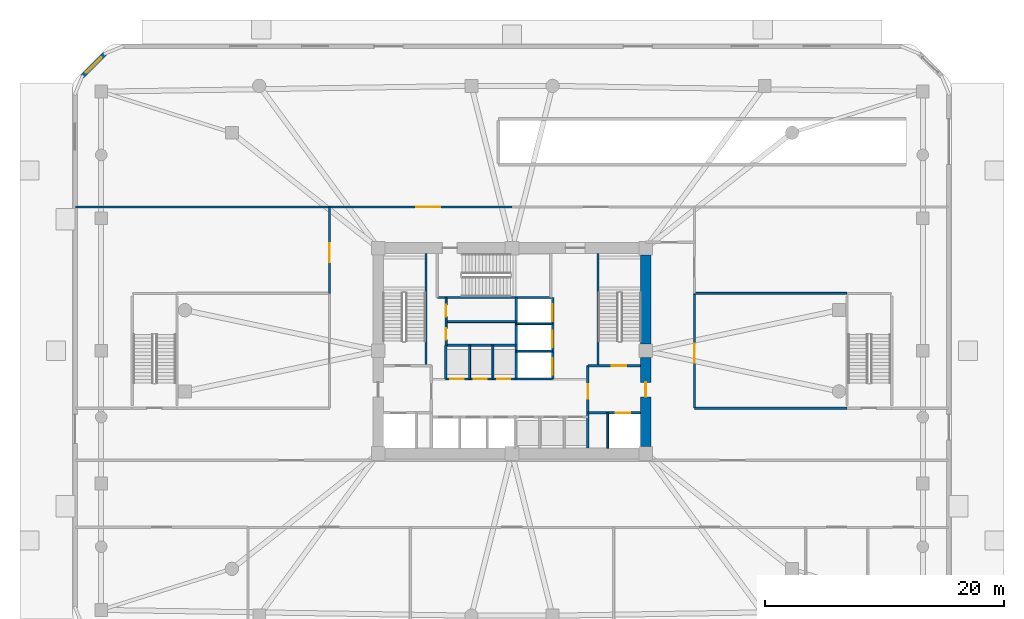
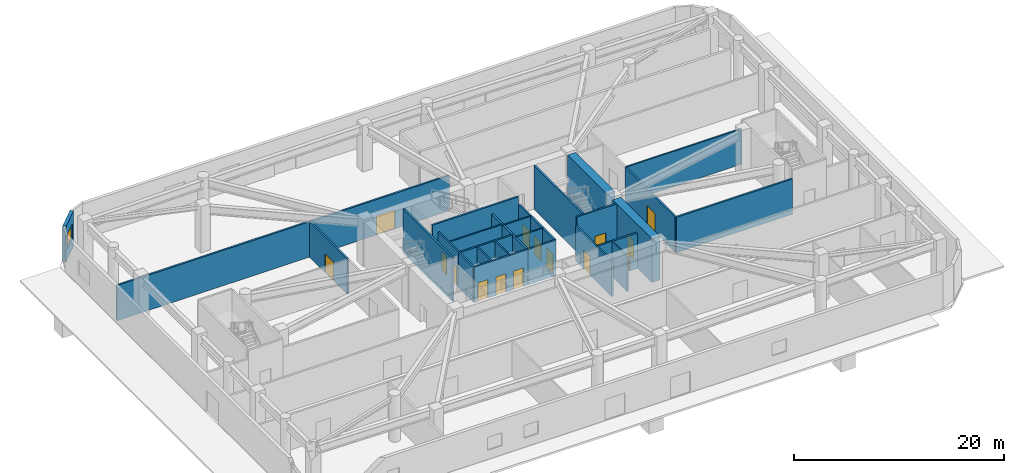
# One storey, part 4 of 9: 27 walls, 15 doors, 1 window, 16 openings.
"""IFC4 building model written with IfcOpenShell, lengths in metres."""

from ifc_helpers import new_model, si_unit, derived_unit, direction, frame, frame_2d, origin, place, context, subcontext, project, spatial, rectangle, extrude, material, layer, layer_set, type_object, element, fill, save


model = new_model("IFC4")

# Units and contexts
model_context = context("Model", 3, precision=1e-05, world=origin(), true_north=direction((0.0, 1.0)))
body_context = subcontext(model_context, "Body", "Model", "MODEL_VIEW")
ifc_project = project(units=[si_unit("LENGTHUNIT", "METRE"), si_unit("AREAUNIT", "SQUARE_METRE"), si_unit("VOLUMEUNIT", "CUBIC_METRE"), si_unit("PLANEANGLEUNIT", "RADIAN"), si_unit("MASSUNIT", "GRAM", prefix="KILO"), derived_unit("THERMALTRANSMITTANCEUNIT", [(si_unit("POWERUNIT", "WATT"), 1), (si_unit("LENGTHUNIT", "METRE"), -2), (si_unit("THERMODYNAMICTEMPERATUREUNIT", "KELVIN"), -1)])], contexts=[model_context])

# Site, building, storey
site_placement = place(None, origin())
site = spatial("IfcSite", under=ifc_project, at=site_placement, CompositionType="ELEMENT")
building_placement = place(site_placement, origin())
building = spatial("IfcBuilding", under=site, at=building_placement, Name="Koralith Skygarden Medical Center", CompositionType="ELEMENT")
storey_placement = place(building_placement, origin())
storey = spatial("IfcBuildingStorey", under=building, at=storey_placement, Name="L00", CompositionType="ELEMENT", Elevation=0.0)

# Wall
ifc_material_1 = material(Name="Gypsum Board Partition")
ifc_layer_1 = layer(ifc_material_1, 0.1650390625)
ifc_layer_set_1 = layer_set([ifc_layer_1], Name="Gypsum Board Partition")
wall_type_1 = type_object("IfcWallType", Name="Clinical Corridor Partition 165", PredefinedType="PARTITIONING", material=ifc_layer_set_1)
wall_1_placement = place(storey_placement, frame((52.280029296875, 30.699951171875, 0.0), z_axis=(0.0, 0.0, 1.0), x_axis=(1.0, 0.0, 0.0)))
element("IfcWall", 1, at=wall_1_placement, inside=storey, type_object=wall_type_1, Name="L00 Clinical Corridor Partition 165 W-L00-E30-IN", PredefinedType="PARTITIONING", context=body_context, shape_type="SweptSolid", body=[
    extrude(rectangle(XDim=12.77001953125, YDim=0.1650390625, at=frame_2d((6.385009765625, 0.0))), origin(), (0.0, 0.0, 1.0), 4.110107421875),
])

# Wall, opening, door
ifc_layer_2 = layer(ifc_material_1, 0.199951171875)
ifc_layer_set_2 = layer_set([ifc_layer_2], Name="Gypsum Board Partition")
wall_type_2 = type_object("IfcWallType", Name="Fire Shaft Wall 200", PredefinedType="SOLIDWALL", material=ifc_layer_set_2)
wall_2_placement = place(storey_placement, frame((43.35009765625, 20.699951171875, 0.0), z_axis=(0.0, 0.0, 1.0), x_axis=(1.0, 0.0, 0.0)))
wall_2 = element("IfcWall", 2, at=wall_2_placement, inside=storey, type_object=wall_type_2, Name="L00 Fire Shaft Wall 200 W-CORE-L00-FF2-N", PredefinedType="SOLIDWALL", context=body_context, shape_type="SweptSolid", body=[
    extrude(rectangle(XDim=4.39990234375, YDim=0.199951171875, at=frame_2d((2.199951171875, 0.0))), origin(), (0.0, 0.0, 1.0), 4.110107421875),
])
opening_1_placement = place(wall_2_placement, frame((2.35009765625, 0.0, 0.0)))
opening_1 = element("IfcOpeningElement", 3, at=opening_1_placement, cuts=wall_2, Name="Opening LD-FF", PredefinedType="OPENING", context=body_context, shape_type="SweptSolid", body=[
    extrude(rectangle(XDim=1.199951171875, YDim=2.14990234375, at=frame_2d((0.60009765625, 1.074951171875))), frame((0.0, 0.10986328125, 0.0), z_axis=(0.0, -1.0, 0.0), x_axis=(1.0, 0.0, 0.0)), (0.0, 0.0, 1.0), 0.219970703125),
])
ifc_material_2 = material(Name="Steel ASTM A500 Grade C", Category="steel")
door_type_1 = type_object("IfcDoorType", Name="Fire Lift Sliding Landing Door LD-FF 1200", OperationType="NOTDEFINED", PredefinedType="DOOR", material=ifc_material_2)
door_1_placement = place(opening_1_placement, origin())
door_1 = element("IfcDoor", 4, at=door_1_placement, inside=storey, type_object=door_type_1, Name="L00 Fire Service Elevator FF2 Landing Door", OperationType="SLIDING_TO_RIGHT", OverallHeight=2.14990234375, OverallWidth=1.199951171875, PredefinedType="DOOR", context=body_context, shape_type="SweptSolid", body=[
    extrude(rectangle(XDim=1.199951171875, YDim=2.14990234375, at=frame_2d((0.60009765625, 1.074951171875))), frame((0.0, 0.02490234375, 0.0), z_axis=(0.0, -1.0, 0.0), x_axis=(1.0, 0.0, 0.0)), (0.0, 0.0, 1.0), 0.050048828125),
])
fill(opening_1, door_1)

wall_3_placement = place(storey_placement, frame((43.35009765625, 17.75, 0.0), z_axis=(0.0, 0.0, 1.0), x_axis=(0.0, 1.0, 0.0)))
wall_3 = element("IfcWall", 5, at=wall_3_placement, inside=storey, type_object=wall_type_2, Name="L00 Fire Shaft Wall 200 W-CORE-L00-FSAEE-W", PredefinedType="SOLIDWALL", context=body_context, shape_type="SweptSolid", body=[
    extrude(rectangle(XDim=6.89990234375, YDim=0.199951171875, at=frame_2d((3.449951171875, 0.0))), origin(), (0.0, 0.0, 1.0), 4.110107421875),
])
opening_2_placement = place(wall_3_placement, frame((4.14990234375, 0.0, 0.0)))
opening_2 = element("IfcOpeningElement", 6, at=opening_2_placement, cuts=wall_3, Name="Opening D-ST60", PredefinedType="OPENING", context=body_context, shape_type="SweptSolid", body=[
    extrude(rectangle(XDim=1.199951171875, YDim=2.14990234375, at=frame_2d((0.60009765625, 1.074951171875))), frame((0.0, 0.10986328125, 0.0), z_axis=(0.0, -1.0, 0.0), x_axis=(1.0, 0.0, 0.0)), (0.0, 0.0, 1.0), 0.219970703125),
])
door_type_2 = type_object("IfcDoorType", Name="Smokeproof Stair Fire Door FD60S 1200", OperationType="NOTDEFINED", PredefinedType="DOOR", material=ifc_material_2)
door_2_placement = place(opening_2_placement, frame((1.199951171875, 0.0, 0.0), z_axis=(0.0, 0.0, 1.0), x_axis=(-1.0, 0.0, 0.0)))
door_2 = element("IfcDoor", 7, at=door_2_placement, inside=storey, type_object=door_type_2, Name="L00 East Firefighting Lobby Inner Fire Door", OperationType="SINGLE_SWING_RIGHT", OverallHeight=2.14990234375, OverallWidth=1.199951171875, PredefinedType="DOOR", context=body_context, shape_type="SweptSolid", body=[
    extrude(rectangle(XDim=1.199951171875, YDim=2.14990234375, at=frame_2d((0.60009765625, 1.074951171875))), frame((0.0, 0.02490234375, 0.0), z_axis=(0.0, -1.0, 0.0), x_axis=(1.0, 0.0, 0.0)), (0.0, 0.0, 1.0), 0.050048828125),
])
fill(opening_2, door_2)

# Wall, openings, doors
wall_4_placement = place(storey_placement, frame((31.449951171875, 23.5400390625, 0.0), z_axis=(0.0, 0.0, 1.0), x_axis=(1.0, 0.0, 0.0)))
wall_4 = element("IfcWall", 8, at=wall_4_placement, inside=storey, type_object=wall_type_2, Name="L00 Fire Shaft Wall 200 W-CORE-L00-PH-S", PredefinedType="SOLIDWALL", context=body_context, shape_type="SweptSolid", body=[
    extrude(rectangle(XDim=5.900146484375, YDim=0.199951171875, at=frame_2d((2.9501953125, 0.0))), origin(), (0.0, 0.0, 1.0), 4.110107421875),
])
opening_3_placement = place(wall_4_placement, frame((0.39990234375, 0.0, 0.0)))
opening_3 = element("IfcOpeningElement", 9, at=opening_3_placement, cuts=wall_4, Name="Opening LD-P", PredefinedType="OPENING", context=body_context, shape_type="SweptSolid", body=[
    extrude(rectangle(XDim=1.10009765625, YDim=2.14990234375, at=frame_2d((0.550048828125, 1.074951171875))), frame((0.0, 0.10986328125, 0.0), z_axis=(0.0, -1.0, 0.0), x_axis=(1.0, 0.0, 0.0)), (0.0, 0.0, 1.0), 0.219970703125),
])
opening_4_placement = place(wall_4_placement, frame((2.35009765625, 0.0, 0.0)))
opening_4 = element("IfcOpeningElement", 10, at=opening_4_placement, cuts=wall_4, Name="Opening LD-P", PredefinedType="OPENING", context=body_context, shape_type="SweptSolid", body=[
    extrude(rectangle(XDim=1.10009765625, YDim=2.14990234375, at=frame_2d((0.550048828125, 1.074951171875))), frame((0.0, 0.10986328125, 0.0), z_axis=(0.0, -1.0, 0.0), x_axis=(1.0, 0.0, 0.0)), (0.0, 0.0, 1.0), 0.219970703125),
])
opening_5_placement = place(wall_4_placement, frame((4.300048828125, 0.0, 0.0)))
opening_5 = element("IfcOpeningElement", 11, at=opening_5_placement, cuts=wall_4, Name="Opening LD-P", PredefinedType="OPENING", context=body_context, shape_type="SweptSolid", body=[
    extrude(rectangle(XDim=1.10009765625, YDim=2.14990234375, at=frame_2d((0.550048828125, 1.074951171875))), frame((0.0, 0.10986328125, 0.0), z_axis=(0.0, -1.0, 0.0), x_axis=(1.0, 0.0, 0.0)), (0.0, 0.0, 1.0), 0.219970703125),
])
door_type_3 = type_object("IfcDoorType", Name="Passenger Lift Sliding Landing Door LD-P 1100", OperationType="NOTDEFINED", PredefinedType="DOOR", material=ifc_material_2)
door_3_placement = place(opening_3_placement, origin())
door_3 = element("IfcDoor", 12, at=door_3_placement, inside=storey, type_object=door_type_3, Name="L00 Passenger Elevator PH1 Landing Door", OperationType="SLIDING_TO_RIGHT", OverallHeight=2.14990234375, OverallWidth=1.10009765625, PredefinedType="DOOR", context=body_context, shape_type="SweptSolid", body=[
    extrude(rectangle(XDim=1.10009765625, YDim=2.14990234375, at=frame_2d((0.550048828125, 1.074951171875))), frame((0.0, 0.02490234375, 0.0), z_axis=(0.0, -1.0, 0.0), x_axis=(1.0, 0.0, 0.0)), (0.0, 0.0, 1.0), 0.050048828125),
])
fill(opening_3, door_3)
door_4_placement = place(opening_4_placement, origin())
door_4 = element("IfcDoor", 13, at=door_4_placement, inside=storey, type_object=door_type_3, Name="L00 Passenger Elevator PH2 Landing Door", OperationType="SLIDING_TO_RIGHT", OverallHeight=2.14990234375, OverallWidth=1.10009765625, PredefinedType="DOOR", context=body_context, shape_type="SweptSolid", body=[
    extrude(rectangle(XDim=1.10009765625, YDim=2.14990234375, at=frame_2d((0.550048828125, 1.074951171875))), frame((0.0, 0.02490234375, 0.0), z_axis=(0.0, -1.0, 0.0), x_axis=(1.0, 0.0, 0.0)), (0.0, 0.0, 1.0), 0.050048828125),
])
fill(opening_4, door_4)
door_5_placement = place(opening_5_placement, origin())
door_5 = element("IfcDoor", 14, at=door_5_placement, inside=storey, type_object=door_type_3, Name="L00 Passenger Elevator PH3 Landing Door", OperationType="SLIDING_TO_RIGHT", OverallHeight=2.14990234375, OverallWidth=1.10009765625, PredefinedType="DOOR", context=body_context, shape_type="SweptSolid", body=[
    extrude(rectangle(XDim=1.10009765625, YDim=2.14990234375, at=frame_2d((0.550048828125, 1.074951171875))), frame((0.0, 0.02490234375, 0.0), z_axis=(0.0, -1.0, 0.0), x_axis=(1.0, 0.0, 0.0)), (0.0, 0.0, 1.0), 0.050048828125),
])
fill(opening_5, door_5)

# Walls
wall_5_placement = place(storey_placement, frame((31.449951171875, 26.35009765625, 0.0), z_axis=(0.0, 0.0, 1.0), x_axis=(1.0, 0.0, 0.0)))
element("IfcWall", 15, at=wall_5_placement, inside=storey, type_object=wall_type_2, Name="L00 Fire Shaft Wall 200 W-CORE-L00-PH-N", PredefinedType="SOLIDWALL", context=body_context, shape_type="SweptSolid", body=[
    extrude(rectangle(XDim=5.900146484375, YDim=0.199951171875, at=frame_2d((2.9501953125, 0.0))), origin(), (0.0, 0.0, 1.0), 4.110107421875),
])
wall_6_placement = place(storey_placement, frame((31.449951171875, 23.5400390625, 0.0), z_axis=(0.0, 0.0, 1.0), x_axis=(0.0, 1.0, 0.0)))
element("IfcWall", 16, at=wall_6_placement, inside=storey, type_object=wall_type_2, Name="L00 Fire Shaft Wall 200 W-CORE-L00-PH-W", PredefinedType="SOLIDWALL", context=body_context, shape_type="SweptSolid", body=[
    extrude(rectangle(XDim=2.81005859375, YDim=0.199951171875, at=frame_2d((1.405029296875, 0.0))), origin(), (0.0, 0.0, 1.0), 4.110107421875),
])
wall_7_placement = place(storey_placement, frame((37.35009765625, 23.5400390625, 0.0), z_axis=(0.0, 0.0, 1.0), x_axis=(0.0, 1.0, 0.0)))
element("IfcWall", 17, at=wall_7_placement, inside=storey, type_object=wall_type_2, Name="L00 Fire Shaft Wall 200 W-CORE-L00-SV-W", PredefinedType="SOLIDWALL", context=body_context, shape_type="SweptSolid", body=[
    extrude(rectangle(XDim=6.820068359375, YDim=0.199951171875, at=frame_2d((3.41015625, 0.0))), origin(), (0.0, 0.0, 1.0), 4.110107421875),
])
wall_8_placement = place(storey_placement, frame((37.35009765625, 23.5400390625, 0.0), z_axis=(0.0, 0.0, 1.0), x_axis=(1.0, 0.0, 0.0)))
element("IfcWall", 18, at=wall_8_placement, inside=storey, type_object=wall_type_2, Name="L00 Fire Shaft Wall 200 W-CORE-L00-SV-S", PredefinedType="SOLIDWALL", context=body_context, shape_type="SweptSolid", body=[
    extrude(rectangle(XDim=3.0498046875, YDim=0.199951171875, at=frame_2d((1.52490234375, 0.0))), origin(), (0.0, 0.0, 1.0), 4.110107421875),
])

# Wall, openings, doors
wall_9_placement = place(storey_placement, frame((40.39990234375, 23.5400390625, 0.0), z_axis=(0.0, 0.0, 1.0), x_axis=(0.0, 1.0, 0.0)))
wall_9 = element("IfcWall", 19, at=wall_9_placement, inside=storey, type_object=wall_type_2, Name="L00 Fire Shaft Wall 200 W-CORE-L00-SV-E", PredefinedType="SOLIDWALL", context=body_context, shape_type="SweptSolid", body=[
    extrude(rectangle(XDim=6.820068359375, YDim=0.199951171875, at=frame_2d((3.41015625, 0.0))), origin(), (0.0, 0.0, 1.0), 4.110107421875),
])
opening_6_placement = place(wall_9_placement, frame((0.35009765625, 0.0, 0.0)))
opening_6 = element("IfcOpeningElement", 20, at=opening_6_placement, cuts=wall_9, Name="Opening LD-SV", PredefinedType="OPENING", context=body_context, shape_type="SweptSolid", body=[
    extrude(rectangle(XDim=1.39990234375, YDim=2.199951171875, at=frame_2d((0.699951171875, 1.10009765625))), frame((0.0, 0.10986328125, 0.0), z_axis=(0.0, -1.0, 0.0), x_axis=(1.0, 0.0, 0.0)), (0.0, 0.0, 1.0), 0.219970703125),
])
opening_7_placement = place(wall_9_placement, frame((2.64990234375, 0.0, 0.0)))
opening_7 = element("IfcOpeningElement", 21, at=opening_7_placement, cuts=wall_9, Name="Opening LD-SV", PredefinedType="OPENING", context=body_context, shape_type="SweptSolid", body=[
    extrude(rectangle(XDim=1.39990234375, YDim=2.199951171875, at=frame_2d((0.699951171875, 1.10009765625))), frame((0.0, 0.10986328125, 0.0), z_axis=(0.0, -1.0, 0.0), x_axis=(1.0, 0.0, 0.0)), (0.0, 0.0, 1.0), 0.219970703125),
])
opening_8_placement = place(wall_9_placement, frame((4.85009765625, 0.0, 0.0)))
opening_8 = element("IfcOpeningElement", 22, at=opening_8_placement, cuts=wall_9, Name="Opening LD-SV", PredefinedType="OPENING", context=body_context, shape_type="SweptSolid", body=[
    extrude(rectangle(XDim=1.39990234375, YDim=2.199951171875, at=frame_2d((0.699951171875, 1.10009765625))), frame((0.0, 0.10986328125, 0.0), z_axis=(0.0, -1.0, 0.0), x_axis=(1.0, 0.0, 0.0)), (0.0, 0.0, 1.0), 0.219970703125),
])
door_type_4 = type_object("IfcDoorType", Name="Bed Lift Sliding Landing Door LD-SV 1400", OperationType="NOTDEFINED", PredefinedType="DOOR", material=ifc_material_2)
door_6_placement = place(opening_6_placement, origin())
door_6 = element("IfcDoor", 23, at=door_6_placement, inside=storey, type_object=door_type_4, Name="L00 Bed Elevator BD1 Landing Door", OperationType="SLIDING_TO_LEFT", OverallHeight=2.199951171875, OverallWidth=1.39990234375, PredefinedType="DOOR", context=body_context, shape_type="SweptSolid", body=[
    extrude(rectangle(XDim=1.39990234375, YDim=2.199951171875, at=frame_2d((0.699951171875, 1.10009765625))), frame((0.0, 0.02490234375, 0.0), z_axis=(0.0, -1.0, 0.0), x_axis=(1.0, 0.0, 0.0)), (0.0, 0.0, 1.0), 0.050048828125),
])
fill(opening_6, door_6)
door_7_placement = place(opening_7_placement, origin())
door_7 = element("IfcDoor", 24, at=door_7_placement, inside=storey, type_object=door_type_4, Name="L00 Service Elevator BD2 Landing Door", OperationType="SLIDING_TO_LEFT", OverallHeight=2.199951171875, OverallWidth=1.39990234375, PredefinedType="DOOR", context=body_context, shape_type="SweptSolid", body=[
    extrude(rectangle(XDim=1.39990234375, YDim=2.199951171875, at=frame_2d((0.699951171875, 1.10009765625))), frame((0.0, 0.02490234375, 0.0), z_axis=(0.0, -1.0, 0.0), x_axis=(1.0, 0.0, 0.0)), (0.0, 0.0, 1.0), 0.050048828125),
])
fill(opening_7, door_7)
door_8_placement = place(opening_8_placement, origin())
door_8 = element("IfcDoor", 25, at=door_8_placement, inside=storey, type_object=door_type_4, Name="L00 Trauma Elevator TR1 Landing Door", OperationType="SLIDING_TO_RIGHT", OverallHeight=2.199951171875, OverallWidth=1.39990234375, PredefinedType="DOOR", context=body_context, shape_type="SweptSolid", body=[
    extrude(rectangle(XDim=1.39990234375, YDim=2.199951171875, at=frame_2d((0.699951171875, 1.10009765625))), frame((0.0, 0.02490234375, 0.0), z_axis=(0.0, -1.0, 0.0), x_axis=(1.0, 0.0, 0.0)), (0.0, 0.0, 1.0), 0.050048828125),
])
fill(opening_8, door_8)

# Wall, opening, door
wall_10_placement = place(storey_placement, frame((21.719970703125, 30.699951171875, 0.0), z_axis=(0.0, 0.0, 1.0), x_axis=(0.0, 1.0, 0.0)))
wall_10 = element("IfcWall", 26, at=wall_10_placement, inside=storey, type_object=wall_type_2, Name="L00 Fire Shaft Wall 200 W-L00-EXPASS-WW2", PredefinedType="SOLIDWALL", context=body_context, shape_type="SweptSolid", body=[
    extrude(rectangle(XDim=7.239990234375, YDim=0.199951171875, at=frame_2d((3.6201171875, 0.0))), origin(), (0.0, 0.0, 1.0), 4.110107421875),
])
opening_9_placement = place(wall_10_placement, frame((2.60009765625, 0.0, 0.0)))
opening_9 = element("IfcOpeningElement", 27, at=opening_9_placement, cuts=wall_10, Name="Opening D-DBL", PredefinedType="OPENING", context=body_context, shape_type="SweptSolid", body=[
    extrude(rectangle(XDim=1.60009765625, YDim=2.199951171875, at=frame_2d((0.800048828125, 1.10009765625))), frame((0.0, 0.10986328125, 0.0), z_axis=(0.0, -1.0, 0.0), x_axis=(1.0, 0.0, 0.0)), (0.0, 0.0, 1.0), 0.219970703125),
])
ifc_material_3 = material(Name="Aluminium 6063-T6", Category="aluminium")
door_type_5 = type_object("IfcDoorType", Name="Double Clinical Suite Door D-DBL 1600", OperationType="NOTDEFINED", PredefinedType="DOOR", material=ifc_material_3)
door_9_placement = place(opening_9_placement, frame((1.60009765625, 0.0, 0.0), z_axis=(0.0, 0.0, 1.0), x_axis=(-1.0, 0.0, 0.0)))
door_9 = element("IfcDoor", 28, at=door_9_placement, inside=storey, type_object=door_type_5, Name="L00 Transit Screening Clinic Door", OperationType="DOUBLE_DOOR_SINGLE_SWING", OverallHeight=2.199951171875, OverallWidth=1.60009765625, PredefinedType="DOOR", context=body_context, shape_type="SweptSolid", body=[
    extrude(rectangle(XDim=1.60009765625, YDim=2.199951171875, at=frame_2d((0.800048828125, 1.10009765625))), frame((0.0, 0.02490234375, 0.0), z_axis=(0.0, -1.0, 0.0), x_axis=(1.0, 0.0, 0.0)), (0.0, 0.0, 1.0), 0.050048828125),
])
fill(opening_9, door_9)

# Wall
wall_11_placement = place(storey_placement, frame((52.280029296875, 21.10009765625, 0.0), z_axis=(0.0, 0.0, 1.0), x_axis=(1.0, 0.0, 0.0)))
element("IfcWall", 29, at=wall_11_placement, inside=storey, type_object=wall_type_2, Name="L00 Fire Shaft Wall 200 W-L00-EST5-W", PredefinedType="SOLIDWALL", context=body_context, shape_type="SweptSolid", body=[
    extrude(rectangle(XDim=12.77001953125, YDim=0.199951171875, at=frame_2d((6.385009765625, 0.0))), origin(), (0.0, 0.0, 1.0), 4.110107421875),
])

# Wall, opening, door
wall_12_placement = place(storey_placement, frame((52.280029296875, 21.10009765625, 0.0), z_axis=(0.0, 0.0, 1.0), x_axis=(0.0, 1.0, 0.0)))
wall_12 = element("IfcWall", 30, at=wall_12_placement, inside=storey, type_object=wall_type_2, Name="L00 Fire Shaft Wall 200 W-L00-EXPASS-EE1", PredefinedType="SOLIDWALL", context=body_context, shape_type="SweptSolid", body=[
    extrude(rectangle(XDim=9.599853515625, YDim=0.199951171875, at=frame_2d((4.7998046875, 0.0))), origin(), (0.0, 0.0, 1.0), 4.110107421875),
])
opening_10_placement = place(wall_12_placement, frame((3.800048828125, 0.0, 0.0)))
opening_10 = element("IfcOpeningElement", 31, at=opening_10_placement, cuts=wall_12, Name="Opening D-DBL", PredefinedType="OPENING", context=body_context, shape_type="SweptSolid", body=[
    extrude(rectangle(XDim=1.60009765625, YDim=2.199951171875, at=frame_2d((0.800048828125, 1.10009765625))), frame((0.0, 0.10986328125, 0.0), z_axis=(0.0, -1.0, 0.0), x_axis=(1.0, 0.0, 0.0)), (0.0, 0.0, 1.0), 0.219970703125),
])
door_10_placement = place(opening_10_placement, origin())
door_10 = element("IfcDoor", 32, at=door_10_placement, inside=storey, type_object=door_type_5, Name="L00 Emergency Ambulance Triage Hall Door", OperationType="DOUBLE_DOOR_SINGLE_SWING", OverallHeight=2.199951171875, OverallWidth=1.60009765625, PredefinedType="DOOR", context=body_context, shape_type="SweptSolid", body=[
    extrude(rectangle(XDim=1.60009765625, YDim=2.199951171875, at=frame_2d((0.800048828125, 1.10009765625))), frame((0.0, 0.02490234375, 0.0), z_axis=(0.0, -1.0, 0.0), x_axis=(1.0, 0.0, 0.0)), (0.0, 0.0, 1.0), 0.050048828125),
])
fill(opening_10, door_10)

wall_13_placement = place(storey_placement, frame((0.43994140625, 37.93994140625, 0.0), z_axis=(0.0, 0.0, 1.0), x_axis=(1.0, 0.0, 0.0)))
wall_13 = element("IfcWall", 33, at=wall_13_placement, inside=storey, type_object=wall_type_2, Name="L00 Fire Shaft Wall 200 W-L00-CONC-W", PredefinedType="SOLIDWALL", context=body_context, shape_type="SweptSolid", body=[
    extrude(rectangle(XDim=36.56005859375, YDim=0.199951171875, at=frame_2d((18.280029296875, 0.0))), origin(), (0.0, 0.0, 1.0), 4.110107421875),
])
opening_11_placement = place(wall_13_placement, frame((28.56005859375, 0.0, 0.0)))
opening_11 = element("IfcOpeningElement", 34, at=opening_11_placement, cuts=wall_13, Name="Opening D-SMK", PredefinedType="OPENING", context=body_context, shape_type="SweptSolid", body=[
    extrude(rectangle(XDim=2.0, YDim=2.199951171875, at=frame_2d((1.0, 1.10009765625))), frame((0.0, 0.10986328125, 0.0), z_axis=(0.0, -1.0, 0.0), x_axis=(1.0, 0.0, 0.0)), (0.0, 0.0, 1.0), 0.219970703125),
])
door_type_6 = type_object("IfcDoorType", Name="Cross-Corridor Double Smoke Door FD60S 2000", OperationType="NOTDEFINED", PredefinedType="DOOR", material=ifc_material_2)
door_11_placement = place(opening_11_placement, origin())
door_11 = element("IfcDoor", 35, at=door_11_placement, inside=storey, type_object=door_type_6, Name="L00 Station Concourse Transfer Door West", OperationType="DOUBLE_DOOR_SINGLE_SWING", OverallHeight=2.199951171875, OverallWidth=2.0, PredefinedType="DOOR", context=body_context, shape_type="SweptSolid", body=[
    extrude(rectangle(XDim=2.0, YDim=2.199951171875, at=frame_2d((1.0, 1.10009765625))), frame((0.0, 0.02490234375, 0.0), z_axis=(0.0, -1.0, 0.0), x_axis=(1.0, 0.0, 0.0)), (0.0, 0.0, 1.0), 0.050048828125),
])
fill(opening_11, door_11)

ifc_material_4 = material(Name="Concrete C70/85", Category="concrete")
ifc_layer_3 = layer(ifc_material_4, 0.89990234375)
ifc_layer_set_3 = layer_set([ifc_layer_3], Name="Concrete C70/85")
wall_type_3 = type_object("IfcWallType", Name="Lower Core Shear Wall 900", PredefinedType="SHEAR", material=ifc_layer_set_3)
wall_14_placement = place(storey_placement, frame((48.199951171875, 17.864990234375, 0.0), z_axis=(0.0, 0.0, 1.0), x_axis=(0.0, 1.0, 0.0)))
wall_14 = element("IfcWall", 36, at=wall_14_placement, inside=storey, type_object=wall_type_3, Name="L00 Core Shear Wall Segment 3", PredefinedType="SHEAR", context=body_context, shape_type="SweptSolid", body=[
    extrude(rectangle(XDim=7.469970703125, YDim=0.89990234375, at=frame_2d((3.73486328125, 0.0))), origin(), (0.0, 0.0, 1.0), 5.10009765625),
])
opening_12_placement = place(wall_14_placement, frame((4.18505859375, 0.0, 0.0)))
opening_12 = element("IfcOpeningElement", 37, at=opening_12_placement, cuts=wall_14, Name="Opening D-ST60", PredefinedType="OPENING", context=body_context, shape_type="SweptSolid", body=[
    extrude(rectangle(XDim=1.199951171875, YDim=2.14990234375, at=frame_2d((0.60009765625, 1.074951171875))), frame((0.0, 0.4599609375, 0.0), z_axis=(0.0, -1.0, 0.0), x_axis=(1.0, 0.0, 0.0)), (0.0, 0.0, 1.0), 0.919921875),
])
door_12_placement = place(opening_12_placement, frame((1.199951171875, 0.0, 0.0), z_axis=(0.0, 0.0, 1.0), x_axis=(-1.0, 0.0, 0.0)))
door_12 = element("IfcDoor", 38, at=door_12_placement, inside=storey, type_object=door_type_2, Name="L00 East Corridor to Firefighting Lobby Door", OperationType="SINGLE_SWING_RIGHT", OverallHeight=2.14990234375, OverallWidth=1.199951171875, PredefinedType="DOOR", context=body_context, shape_type="SweptSolid", body=[
    extrude(rectangle(XDim=1.199951171875, YDim=2.14990234375, at=frame_2d((0.60009765625, 1.074951171875))), frame((0.0, 0.02490234375, 0.0), z_axis=(0.0, -1.0, 0.0), x_axis=(1.0, 0.0, 0.0)), (0.0, 0.0, 1.0), 0.050048828125),
])
fill(opening_12, door_12)

# Wall
wall_15_placement = place(storey_placement, frame((48.199951171875, 26.465087890625, 0.0), z_axis=(0.0, 0.0, 1.0), x_axis=(0.0, 1.0, 0.0)))
element("IfcWall", 39, at=wall_15_placement, inside=storey, type_object=wall_type_3, Name="L00 Core Shear Wall Segment 4", PredefinedType="SHEAR", context=body_context, shape_type="SweptSolid", body=[
    extrude(rectangle(XDim=7.469970703125, YDim=0.89990234375, at=frame_2d((3.73486328125, 0.0))), origin(), (0.0, 0.0, 1.0), 5.10009765625),
])

# Wall, openings, doors
ifc_layer_4 = layer(ifc_material_1, 0.1650390625)
ifc_layer_set_4 = layer_set([ifc_layer_4], Name="Gypsum Board Partition")
wall_type_4 = type_object("IfcWallType", Name="Plumbing Wet Wall 165", PredefinedType="PLUMBINGWALL", material=ifc_layer_set_4)
wall_16_placement = place(storey_placement, frame((31.47998046875, 26.320068359375, 0.0), z_axis=(0.0, 0.0, 1.0), x_axis=(0.0, 1.0, 0.0)))
wall_16 = element("IfcWall", 40, at=wall_16_placement, inside=storey, type_object=wall_type_4, Name="L00 Plumbing Wet Wall 165 W-CORE-L00-FLEX-W", PredefinedType="PLUMBINGWALL", context=body_context, shape_type="SweptSolid", body=[
    extrude(rectangle(XDim=4.0400390625, YDim=0.1650390625, at=frame_2d((2.02001953125, 0.0))), origin(), (0.0, 0.0, 1.0), 4.110107421875),
])
opening_13_placement = place(wall_16_placement, frame((0.5, 0.0, 0.0)))
opening_13 = element("IfcOpeningElement", 41, at=opening_13_placement, cuts=wall_16, Name="Opening D-WC", PredefinedType="OPENING", context=body_context, shape_type="SweptSolid", body=[
    extrude(rectangle(XDim=0.949951171875, YDim=2.10009765625, at=frame_2d((0.47509765625, 1.050048828125))), frame((0.0, 0.092529296875, 0.0), z_axis=(0.0, -1.0, 0.0), x_axis=(1.0, 0.0, 0.0)), (0.0, 0.0, 1.0), 0.18505859375),
])
opening_14_placement = place(wall_16_placement, frame((2.449951171875, 0.0, 0.0)))
opening_14 = element("IfcOpeningElement", 42, at=opening_14_placement, cuts=wall_16, Name="Opening D-SUP", PredefinedType="OPENING", context=body_context, shape_type="SweptSolid", body=[
    extrude(rectangle(XDim=1.0, YDim=2.14990234375, at=frame_2d((0.5, 1.074951171875))), frame((0.0, 0.092529296875, 0.0), z_axis=(0.0, -1.0, 0.0), x_axis=(1.0, 0.0, 0.0)), (0.0, 0.0, 1.0), 0.18505859375),
])
door_type_7 = type_object("IfcDoorType", Name="Accessible Toilet Door D-WC 950", OperationType="NOTDEFINED", PredefinedType="DOOR", material=ifc_material_3)
door_13_placement = place(opening_13_placement, frame((0.949951171875, 0.0, 0.0), z_axis=(0.0, 0.0, 1.0), x_axis=(-1.0, 0.0, 0.0)))
door_13 = element("IfcDoor", 43, at=door_13_placement, inside=storey, type_object=door_type_7, Name="L00 Core Accessible WC Door", OperationType="SINGLE_SWING_LEFT", OverallHeight=2.10009765625, OverallWidth=0.949951171875, PredefinedType="DOOR", context=body_context, shape_type="SweptSolid", body=[
    extrude(rectangle(XDim=0.949951171875, YDim=2.10009765625, at=frame_2d((0.47509765625, 1.050048828125))), frame((0.0, 0.02490234375, 0.0), z_axis=(0.0, -1.0, 0.0), x_axis=(1.0, 0.0, 0.0)), (0.0, 0.0, 1.0), 0.050048828125),
])
fill(opening_13, door_13)
door_type_8 = type_object("IfcDoorType", Name="Clinical Support Door D-SUP 1000", OperationType="NOTDEFINED", PredefinedType="DOOR", material=ifc_material_3)
door_14_placement = place(opening_14_placement, frame((1.0, 0.0, 0.0), z_axis=(0.0, 0.0, 1.0), x_axis=(-1.0, 0.0, 0.0)))
door_14 = element("IfcDoor", 44, at=door_14_placement, inside=storey, type_object=door_type_8, Name="L00 Core Clean Utility Door", OperationType="SINGLE_SWING_RIGHT", OverallHeight=2.14990234375, OverallWidth=1.0, PredefinedType="DOOR", context=body_context, shape_type="SweptSolid", body=[
    extrude(rectangle(XDim=1.0, YDim=2.14990234375, at=frame_2d((0.5, 1.074951171875))), frame((0.0, 0.02490234375, 0.0), z_axis=(0.0, -1.0, 0.0), x_axis=(1.0, 0.0, 0.0)), (0.0, 0.0, 1.0), 0.050048828125),
])
fill(opening_14, door_14)

# Wall
wall_17_placement = place(storey_placement, frame((31.47998046875, 28.340087890625, 0.0), z_axis=(0.0, 0.0, 1.0), x_axis=(1.0, 0.0, 0.0)))
element("IfcWall", 45, at=wall_17_placement, inside=storey, type_object=wall_type_4, Name="L00 Plumbing Wet Wall 165 W-CORE-L00-FLEX-H0", PredefinedType="PLUMBINGWALL", context=body_context, shape_type="SweptSolid", body=[
    extrude(rectangle(XDim=5.8701171875, YDim=0.1650390625, at=frame_2d((2.93505859375, 0.0))), origin(), (0.0, 0.0, 1.0), 4.110107421875),
])

# Wall, opening, window
ifc_material_5 = material(Name="Warm Oolitic Limestone Cladding", Category="masonry")
ifc_layer_5 = layer(ifc_material_5, 0.35009765625)
ifc_layer_set_5 = layer_set([ifc_layer_5], Name="Warm Oolitic Limestone Cladding")
wall_type_5 = type_object("IfcWallType", Name="Podium Station Limestone Facade Wall 350", PredefinedType="SOLIDWALL", material=ifc_layer_set_5)
wall_18_placement = place(storey_placement, frame((2.927978515625, 50.779052734375, 0.0), z_axis=(0.0, 0.0, 1.0), x_axis=(-0.707106781187, -0.707106781187, 0.0)))
wall_18 = element("IfcWall", 46, at=wall_18_placement, inside=storey, type_object=wall_type_5, Name="L00 Podium Exterior Limestone Wall NW", PredefinedType="SOLIDWALL", context=body_context, shape_type="SweptSolid", body=[
    extrude(rectangle(XDim=2.69677734375, YDim=0.35009765625, at=frame_2d((1.348388671875, 0.0))), origin(), (0.0, 0.0, 1.0), 4.139892578125),
])
opening_15_placement = place(wall_18_placement, frame((0.448974609375, 0.0, 1.14990234375)))
opening_15 = element("IfcOpeningElement", 47, at=opening_15_placement, cuts=wall_18, Name="Opening W-02", PredefinedType="OPENING", context=body_context, shape_type="SweptSolid", body=[
    extrude(rectangle(XDim=1.800048828125, YDim=1.75, at=frame_2d((0.89990234375, 0.875))), frame((0.0, 0.18505859375, 0.0), z_axis=(0.0, -1.0, 0.0), x_axis=(1.0, 0.0, 0.0)), (0.0, 0.0, 1.0), 0.3701171875),
])
ifc_material_6 = material(Name="Clear Laminated Glass", Category="glass")
window_type = type_object("IfcWindowType", Name="Atrium Clerestory Punched Window W-02 1800x1750", PartitioningType="SINGLE_PANEL", PredefinedType="WINDOW", material=ifc_material_6)
window_placement = place(opening_15_placement, origin())
window = element("IfcWindow", 48, at=window_placement, inside=storey, type_object=window_type, Name="L00 NW Corner Clerestory Window", OverallHeight=1.75, OverallWidth=1.800048828125, PartitioningType="SINGLE_PANEL", PredefinedType="WINDOW", context=body_context, shape_type="SweptSolid", body=[
    extrude(rectangle(XDim=1.800048828125, YDim=1.75, at=frame_2d((0.89990234375, 0.875))), frame((0.0, 0.030029296875, 0.0), z_axis=(0.0, -1.0, 0.0), x_axis=(1.0, 0.0, 0.0)), (0.0, 0.0, 1.0), 0.06005859375),
])
fill(opening_15, window)

# Walls
ifc_layer_6 = layer(ifc_material_1, 0.14990234375)
ifc_layer_set_6 = layer_set([ifc_layer_6], Name="Gypsum Board Partition")
wall_type_6 = type_object("IfcWallType", Name="Shaft Partition Wall 150", PredefinedType="PARTITIONING", material=ifc_layer_set_6)
wall_19_placement = place(storey_placement, frame((45.02001953125, 17.75, 0.0), z_axis=(0.0, 0.0, 1.0), x_axis=(0.0, 1.0, 0.0)))
element("IfcWall", 49, at=wall_19_placement, inside=storey, type_object=wall_type_6, Name="L00 Shaft Partition Wall 150 W-CORE-L00-RSRE-DIV", PredefinedType="PARTITIONING", context=body_context, shape_type="SweptSolid", body=[
    extrude(rectangle(XDim=2.949951171875, YDim=0.14990234375, at=frame_2d((1.47509765625, 0.0))), origin(), (0.0, 0.0, 1.0), 4.110107421875),
])
for number, where, z_axis, x_axis, name in (
    (50, (33.449951171875, 23.5400390625, 0.0), (0.0, 0.0, 1.0), (0.0, 1.0, 0.0), "L00 Shaft Partition Wall 150 W-CORE-L00-PH-D1"),
    (51, (35.39990234375, 23.5400390625, 0.0), (0.0, 0.0, 1.0), (0.0, 1.0, 0.0), "L00 Shaft Partition Wall 150 W-CORE-L00-PH-D2"),
):
    element("IfcWall", number, at=place(storey_placement, frame(where, z_axis=z_axis, x_axis=x_axis)), inside=storey, type_object=wall_type_6, Name=name, PredefinedType="PARTITIONING", context=body_context, shape_type="SweptSolid", body=[
        extrude(rectangle(XDim=2.81005859375, YDim=0.14990234375, at=frame_2d((1.405029296875, 0.0))), origin(), (0.0, 0.0, 1.0), 4.110107421875),
    ])
for number, where, z_axis, x_axis, name in (
    (52, (37.3701171875, 25.8701171875, 0.0), (0.0, 0.0, 1.0), (1.0, 0.0, 0.0), "L00 Shaft Partition Wall 150 W-CORE-L00-SV-D1"),
    (53, (37.3701171875, 28.169921875, 0.0), (0.0, 0.0, 1.0), (1.0, 0.0, 0.0), "L00 Shaft Partition Wall 150 W-CORE-L00-SV-D2"),
):
    element("IfcWall", number, at=place(storey_placement, frame(where, z_axis=z_axis, x_axis=x_axis)), inside=storey, type_object=wall_type_6, Name=name, PredefinedType="PARTITIONING", context=body_context, shape_type="SweptSolid", body=[
        extrude(rectangle(XDim=3.009765625, YDim=0.14990234375, at=frame_2d((1.5048828125, 0.0))), origin(), (0.0, 0.0, 1.0), 4.110107421875),
    ])
ifc_material_7 = material(Name="Concrete C45/55", Category="concrete")
ifc_layer_7 = layer(ifc_material_7, 0.199951171875)
ifc_layer_set_7 = layer_set([ifc_layer_7], Name="Concrete C45/55")
wall_type_7 = type_object("IfcWallType", Name="Structural Stair Shaft Wall 200", PredefinedType="SHEAR", material=ifc_layer_set_7)
for number, where, z_axis, x_axis, name in (
    (54, (29.800048828125, 24.64990234375, 0.0), (0.0, 0.0, 1.0), (0.0, 1.0, 0.0), "L00 Structural Stair Shaft Wall 200 W-CORE-L00-ST1-E"),
    (55, (44.199951171875, 24.64990234375, 0.0), (0.0, 0.0, 1.0), (0.0, 1.0, 0.0), "L00 Structural Stair Shaft Wall 200 W-CORE-L00-ST2-W"),
):
    element("IfcWall", number, at=place(storey_placement, frame(where, z_axis=z_axis, x_axis=x_axis)), inside=storey, type_object=wall_type_7, Name=name, PredefinedType="SHEAR", context=body_context, shape_type="SweptSolid", body=[
        extrude(rectangle(XDim=9.400146484375, YDim=0.199951171875, at=frame_2d((4.7001953125, 0.0))), origin(), (0.0, 0.0, 1.0), 5.10009765625),
    ])

# Wall, opening, door
wall_20_placement = place(storey_placement, frame((43.35009765625, 24.64990234375, 0.0), z_axis=(0.0, 0.0, 1.0), x_axis=(1.0, 0.0, 0.0)))
wall_20 = element("IfcWall", 56, at=wall_20_placement, inside=storey, type_object=wall_type_7, Name="L00 Structural Stair Shaft Wall 200 W-CORE-L00-ST2-S", PredefinedType="SHEAR", context=body_context, shape_type="SweptSolid", body=[
    extrude(rectangle(XDim=4.39990234375, YDim=0.199951171875, at=frame_2d((2.199951171875, 0.0))), origin(), (0.0, 0.0, 1.0), 5.10009765625),
])
opening_16_placement = place(wall_20_placement, frame((2.0, 0.0, 0.0)))
opening_16 = element("IfcOpeningElement", 57, at=opening_16_placement, cuts=wall_20, Name="Opening D-ST60", PredefinedType="OPENING", context=body_context, shape_type="SweptSolid", body=[
    extrude(rectangle(XDim=1.199951171875, YDim=2.14990234375, at=frame_2d((0.60009765625, 1.074951171875))), frame((0.0, 0.10986328125, 0.0), z_axis=(0.0, -1.0, 0.0), x_axis=(1.0, 0.0, 0.0)), (0.0, 0.0, 1.0), 0.219970703125),
])
door_15_placement = place(opening_16_placement, frame((1.199951171875, 0.0, 0.0), z_axis=(0.0, 0.0, 1.0), x_axis=(-1.0, 0.0, 0.0)))
door_15 = element("IfcDoor", 58, at=door_15_placement, inside=storey, type_object=door_type_2, Name="L00 Exit Stair ST2 Fire Door", OperationType="SINGLE_SWING_RIGHT", OverallHeight=2.14990234375, OverallWidth=1.199951171875, PredefinedType="DOOR", context=body_context, shape_type="SweptSolid", body=[
    extrude(rectangle(XDim=1.199951171875, YDim=2.14990234375, at=frame_2d((0.60009765625, 1.074951171875))), frame((0.0, 0.02490234375, 0.0), z_axis=(0.0, -1.0, 0.0), x_axis=(1.0, 0.0, 0.0)), (0.0, 0.0, 1.0), 0.050048828125),
])
fill(opening_16, door_15)

# Wall
wall_21_placement = place(storey_placement, frame((30.75, 30.360107421875, 0.0), z_axis=(0.0, 0.0, 1.0), x_axis=(1.0, 0.0, 0.0)))
element("IfcWall", 59, at=wall_21_placement, inside=storey, type_object=wall_type_7, Name="L00 Structural Stair Shaft Wall 200 W-CORE-L00-ST3-S", PredefinedType="SHEAR", context=body_context, shape_type="SweptSolid", body=[
    extrude(rectangle(XDim=9.5, YDim=0.199951171875, at=frame_2d((4.75, 0.0))), origin(), (0.0, 0.0, 1.0), 5.10009765625),
])

save(model, "model.ifc")
